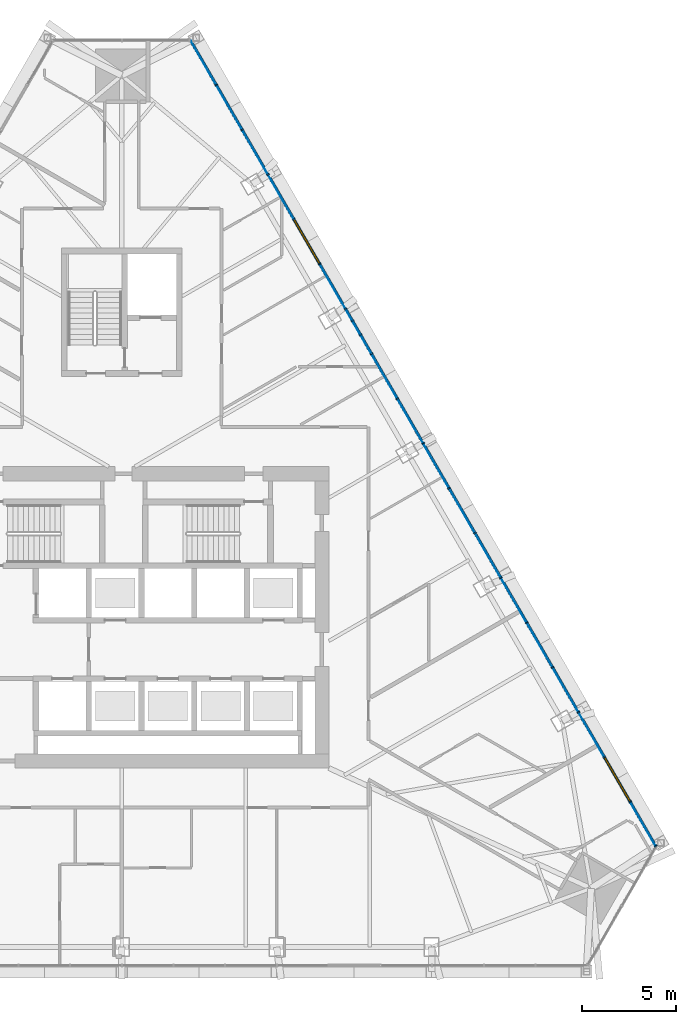
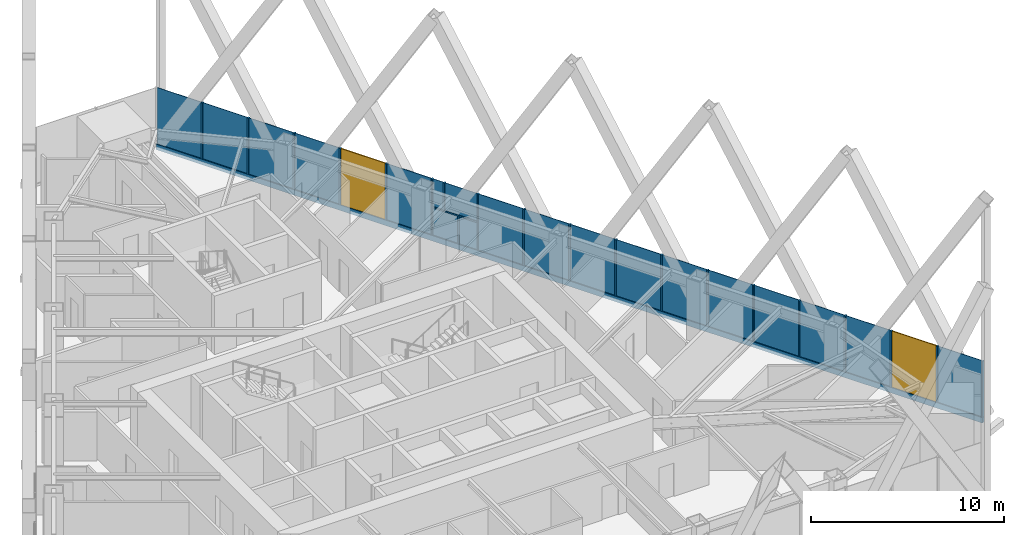
# One storey, part 9 of 19: 22 members, 19 plates, 2 windows, 2 openings, 1 element without a shape of its own.
"""IFC4 building model written with IfcOpenShell, lengths in metres."""

from ifc_helpers import new_model, si_unit, direction, frame, frame_2d, origin, origin_2d, place, context, subcontext, project, spatial, polyline, rectangle, outline, extrude, material, layer, layer_set, material_profile, profile_set, type_object, element, fill, aggregate, save


model = new_model("IFC4")

# Units and contexts
model_context = context("Model", 3, precision=1e-05, world=origin(), true_north=direction((0.0, 1.0)))
body_context = subcontext(model_context, "Body", "Model", "MODEL_VIEW")
ifc_project = project(units=[si_unit("LENGTHUNIT", "METRE"), si_unit("AREAUNIT", "SQUARE_METRE"), si_unit("VOLUMEUNIT", "CUBIC_METRE"), si_unit("PLANEANGLEUNIT", "RADIAN"), si_unit("MASSUNIT", "GRAM", prefix="KILO")], contexts=[model_context])

# Site, building, storey
site_placement = place(None, origin())
site = spatial("IfcSite", under=ifc_project, at=site_placement, CompositionType="ELEMENT")
building_placement = place(site_placement, origin())
building = spatial("IfcBuilding", under=site, at=building_placement, Name="Firuza Gate Tower and Library", CompositionType="ELEMENT")
storey_placement = place(building_placement, frame((0.0, 0.0, 233.800048828125)))
storey = spatial("IfcBuildingStorey", under=building, at=storey_placement, Name="L55", CompositionType="ELEMENT", Elevation=233.800048828125)

# Curtain wall, openings, members, plates, windows
ifc_material_1 = material(Name="Aluminium 6063-T6", Category="aluminium")
ifc_layer_1 = layer(ifc_material_1, 0.14990234375)
ifc_layer_set_1 = layer_set([ifc_layer_1], Name="Unitised curtain wall, hotel")
curtain_wall_type = type_object("IfcCurtainWallType", Name="Unitised curtain wall, hotel", PredefinedType="NOTDEFINED", material=ifc_layer_set_1)
curtain_wall_placement = place(storey_placement, origin())
curtain_wall = element("IfcCurtainWall", 1, at=curtain_wall_placement, inside=storey, type_object=curtain_wall_type, Name="CW2 L55 E face", PredefinedType="NOTDEFINED")
opening_1_placement = place(curtain_wall_placement, frame((101.969970703125, 65.24462890625, 0.14990234375), z_axis=(0.0, 0.0, 1.0), x_axis=(-0.5, 0.866025, 0.0)))
opening_1 = element("IfcOpeningElement", 2, at=opening_1_placement, cuts=curtain_wall, Name="Opening WD1-001", PredefinedType="OPENING", context=body_context, shape_type="SweptSolid", body=[
    extrude(rectangle(XDim=2.666748046875, YDim=3.550048828125, at=frame_2d((1.33349609375, 1.77490234375))), frame((0.0, 0.0849609375, 0.0), z_axis=(0.0, -1.0, 0.0), x_axis=(1.0, 0.0, 0.0)), (0.0, 0.0, 1.0), 0.169921875),
])
opening_2_placement = place(curtain_wall_placement, frame((85.489990234375, 93.788818359375, 0.14990234375), z_axis=(0.0, 0.0, 1.0), x_axis=(-0.5, 0.866025, 0.0)))
opening_2 = element("IfcOpeningElement", 3, at=opening_2_placement, cuts=curtain_wall, Name="Opening WD1-002", PredefinedType="OPENING", context=body_context, shape_type="SweptSolid", body=[
    extrude(rectangle(XDim=2.666748046875, YDim=3.550048828125, at=frame_2d((1.33349609375, 1.77490234375))), frame((0.0, 0.0849609375, 0.0), z_axis=(0.0, -1.0, 0.0), x_axis=(1.0, 0.0, 0.0)), (0.0, 0.0, 1.0), 0.169921875),
])
ifc_material_2 = material(Name="Aluminium 6063-T6", Category="aluminium")
ifc_material_profile_1 = material_profile(ifc_material_2, rectangle(XDim=0.14990234375, YDim=0.080078125, at=origin_2d()))
ifc_profile_set_1 = profile_set([ifc_material_profile_1], Name="Aluminium 6063-T6")
member_type_1 = type_object("IfcMemberType", Name="Curtain wall mullion 80x150", PredefinedType="MULLION", material=ifc_profile_set_1)
member_1_placement = place(storey_placement, frame((103.34326171875, 62.865966796875, 0.14990234375), z_axis=(0.0, 0.0, 1.0), x_axis=(-0.866025403784, -0.5, 0.0)))
member_1 = element("IfcMember", 4, at=member_1_placement, type_object=member_type_1, Name="Mullion", PredefinedType="MULLION", context=body_context, shape_type="SweptSolid", body=[
    extrude(rectangle(XDim=0.14990234375, YDim=0.080078125, at=origin_2d()), origin(), (0.0, 0.0, 1.0), 3.550048828125),
])
member_2_placement = place(storey_placement, frame((101.989990234375, 65.2099609375, 0.14990234375), z_axis=(0.0, 0.0, 1.0), x_axis=(-0.866025403784, -0.5, 0.0)))
member_2 = element("IfcMember", 5, at=member_2_placement, type_object=member_type_1, Name="Mullion", PredefinedType="MULLION", context=body_context, shape_type="SweptSolid", body=[
    extrude(rectangle(XDim=0.14990234375, YDim=0.080078125, at=origin_2d()), origin(), (0.0, 0.0, 1.0), 3.550048828125),
])
member_3_placement = place(storey_placement, frame((100.616455078125, 67.5888671875, 0.14990234375), z_axis=(0.0, 0.0, 1.0), x_axis=(-0.866025403784, -0.5, 0.0)))
member_3 = element("IfcMember", 6, at=member_3_placement, type_object=member_type_1, Name="Mullion", PredefinedType="MULLION", context=body_context, shape_type="SweptSolid", body=[
    extrude(rectangle(XDim=0.14990234375, YDim=0.080078125, at=origin_2d()), origin(), (0.0, 0.0, 1.0), 3.550048828125),
])
member_4_placement = place(storey_placement, frame((99.2431640625, 69.967529296875, 0.14990234375), z_axis=(0.0, 0.0, 1.0), x_axis=(-0.866025403784, -0.5, 0.0)))
member_4 = element("IfcMember", 7, at=member_4_placement, type_object=member_type_1, Name="Mullion", PredefinedType="MULLION", context=body_context, shape_type="SweptSolid", body=[
    extrude(rectangle(XDim=0.14990234375, YDim=0.080078125, at=origin_2d()), origin(), (0.0, 0.0, 1.0), 3.550048828125),
])
member_5_placement = place(storey_placement, frame((97.869873046875, 72.34619140625, 0.14990234375), z_axis=(0.0, 0.0, 1.0), x_axis=(-0.866025403784, -0.5, 0.0)))
member_5 = element("IfcMember", 8, at=member_5_placement, type_object=member_type_1, Name="Mullion", PredefinedType="MULLION", context=body_context, shape_type="SweptSolid", body=[
    extrude(rectangle(XDim=0.14990234375, YDim=0.080078125, at=origin_2d()), origin(), (0.0, 0.0, 1.0), 3.550048828125),
])
member_6_placement = place(storey_placement, frame((96.49658203125, 74.724853515625, 0.14990234375), z_axis=(0.0, 0.0, 1.0), x_axis=(-0.866025403784, -0.5, 0.0)))
member_6 = element("IfcMember", 9, at=member_6_placement, type_object=member_type_1, Name="Mullion", PredefinedType="MULLION", context=body_context, shape_type="SweptSolid", body=[
    extrude(rectangle(XDim=0.14990234375, YDim=0.080078125, at=origin_2d()), origin(), (0.0, 0.0, 1.0), 3.550048828125),
])
member_7_placement = place(storey_placement, frame((95.123291015625, 77.103515625, 0.14990234375), z_axis=(0.0, 0.0, 1.0), x_axis=(-0.866025403784, -0.5, 0.0)))
member_7 = element("IfcMember", 10, at=member_7_placement, type_object=member_type_1, Name="Mullion", PredefinedType="MULLION", context=body_context, shape_type="SweptSolid", body=[
    extrude(rectangle(XDim=0.14990234375, YDim=0.080078125, at=origin_2d()), origin(), (0.0, 0.0, 1.0), 3.550048828125),
])
member_8_placement = place(storey_placement, frame((93.75, 79.482177734375, 0.14990234375), z_axis=(0.0, 0.0, 1.0), x_axis=(-0.866025403784, -0.5, 0.0)))
member_8 = element("IfcMember", 11, at=member_8_placement, type_object=member_type_1, Name="Mullion", PredefinedType="MULLION", context=body_context, shape_type="SweptSolid", body=[
    extrude(rectangle(XDim=0.14990234375, YDim=0.080078125, at=origin_2d()), origin(), (0.0, 0.0, 1.0), 3.550048828125),
])
member_9_placement = place(storey_placement, frame((92.376708984375, 81.86083984375, 0.14990234375), z_axis=(0.0, 0.0, 1.0), x_axis=(-0.866025403784, -0.5, 0.0)))
member_9 = element("IfcMember", 12, at=member_9_placement, type_object=member_type_1, Name="Mullion", PredefinedType="MULLION", context=body_context, shape_type="SweptSolid", body=[
    extrude(rectangle(XDim=0.14990234375, YDim=0.080078125, at=origin_2d()), origin(), (0.0, 0.0, 1.0), 3.550048828125),
])
member_10_placement = place(storey_placement, frame((91.003173828125, 84.239501953125, 0.14990234375), z_axis=(0.0, 0.0, 1.0), x_axis=(-0.866025403784, -0.5, 0.0)))
member_10 = element("IfcMember", 13, at=member_10_placement, type_object=member_type_1, Name="Mullion", PredefinedType="MULLION", context=body_context, shape_type="SweptSolid", body=[
    extrude(rectangle(XDim=0.14990234375, YDim=0.080078125, at=origin_2d()), origin(), (0.0, 0.0, 1.0), 3.550048828125),
])
member_11_placement = place(storey_placement, frame((89.6298828125, 86.6181640625, 0.14990234375), z_axis=(0.0, 0.0, 1.0), x_axis=(-0.866025403784, -0.5, 0.0)))
member_11 = element("IfcMember", 14, at=member_11_placement, type_object=member_type_1, Name="Mullion", PredefinedType="MULLION", context=body_context, shape_type="SweptSolid", body=[
    extrude(rectangle(XDim=0.14990234375, YDim=0.080078125, at=origin_2d()), origin(), (0.0, 0.0, 1.0), 3.550048828125),
])
member_12_placement = place(storey_placement, frame((88.256591796875, 88.996826171875, 0.14990234375), z_axis=(0.0, 0.0, 1.0), x_axis=(-0.866025403784, -0.5, 0.0)))
member_12 = element("IfcMember", 15, at=member_12_placement, type_object=member_type_1, Name="Mullion", PredefinedType="MULLION", context=body_context, shape_type="SweptSolid", body=[
    extrude(rectangle(XDim=0.14990234375, YDim=0.080078125, at=origin_2d()), origin(), (0.0, 0.0, 1.0), 3.550048828125),
])
member_13_placement = place(storey_placement, frame((86.88330078125, 91.37548828125, 0.14990234375), z_axis=(0.0, 0.0, 1.0), x_axis=(-0.866025403784, -0.5, 0.0)))
member_13 = element("IfcMember", 16, at=member_13_placement, type_object=member_type_1, Name="Mullion", PredefinedType="MULLION", context=body_context, shape_type="SweptSolid", body=[
    extrude(rectangle(XDim=0.14990234375, YDim=0.080078125, at=origin_2d()), origin(), (0.0, 0.0, 1.0), 3.550048828125),
])
member_14_placement = place(storey_placement, frame((85.510009765625, 93.754150390625, 0.14990234375), z_axis=(0.0, 0.0, 1.0), x_axis=(-0.866025403784, -0.5, 0.0)))
member_14 = element("IfcMember", 17, at=member_14_placement, type_object=member_type_1, Name="Mullion", PredefinedType="MULLION", context=body_context, shape_type="SweptSolid", body=[
    extrude(rectangle(XDim=0.14990234375, YDim=0.080078125, at=origin_2d()), origin(), (0.0, 0.0, 1.0), 3.550048828125),
])
member_15_placement = place(storey_placement, frame((84.13671875, 96.1328125, 0.14990234375), z_axis=(0.0, 0.0, 1.0), x_axis=(-0.866025403784, -0.5, 0.0)))
member_15 = element("IfcMember", 18, at=member_15_placement, type_object=member_type_1, Name="Mullion", PredefinedType="MULLION", context=body_context, shape_type="SweptSolid", body=[
    extrude(rectangle(XDim=0.14990234375, YDim=0.080078125, at=origin_2d()), origin(), (0.0, 0.0, 1.0), 3.550048828125),
])
member_16_placement = place(storey_placement, frame((82.76318359375, 98.511474609375, 0.14990234375), z_axis=(0.0, 0.0, 1.0), x_axis=(-0.866025403784, -0.5, 0.0)))
member_16 = element("IfcMember", 19, at=member_16_placement, type_object=member_type_1, Name="Mullion", PredefinedType="MULLION", context=body_context, shape_type="SweptSolid", body=[
    extrude(rectangle(XDim=0.14990234375, YDim=0.080078125, at=origin_2d()), origin(), (0.0, 0.0, 1.0), 3.550048828125),
])
member_17_placement = place(storey_placement, frame((81.389892578125, 100.89013671875, 0.14990234375), z_axis=(0.0, 0.0, 1.0), x_axis=(-0.866025403784, -0.5, 0.0)))
member_17 = element("IfcMember", 20, at=member_17_placement, type_object=member_type_1, Name="Mullion", PredefinedType="MULLION", context=body_context, shape_type="SweptSolid", body=[
    extrude(rectangle(XDim=0.14990234375, YDim=0.080078125, at=origin_2d()), origin(), (0.0, 0.0, 1.0), 3.550048828125),
])
member_18_placement = place(storey_placement, frame((80.0166015625, 103.268798828125, 0.14990234375), z_axis=(0.0, 0.0, 1.0), x_axis=(-0.866025403784, -0.5, 0.0)))
member_18 = element("IfcMember", 21, at=member_18_placement, type_object=member_type_1, Name="Mullion", PredefinedType="MULLION", context=body_context, shape_type="SweptSolid", body=[
    extrude(rectangle(XDim=0.14990234375, YDim=0.080078125, at=origin_2d()), origin(), (0.0, 0.0, 1.0), 3.550048828125),
])
member_19_placement = place(storey_placement, frame((87.678466796875, 89.998046875, 0.14990234375), z_axis=(0.0, 0.0, 1.0), x_axis=(-0.866025403784, -0.5, 0.0)))
member_19 = element("IfcMember", 22, at=member_19_placement, type_object=member_type_1, Name="Mullion", PredefinedType="MULLION", context=body_context, shape_type="SweptSolid", body=[
    extrude(rectangle(XDim=0.14990234375, YDim=0.080078125, at=origin_2d()), origin(), (0.0, 0.0, 1.0), 1.735107421875),
])
member_20_placement = place(storey_placement, frame((87.25, 90.740478515625, 1.96484375), z_axis=(0.0, 0.0, 1.0), x_axis=(-0.866025403784, -0.5, 0.0)))
member_20 = element("IfcMember", 23, at=member_20_placement, type_object=member_type_1, Name="Mullion", PredefinedType="MULLION", context=body_context, shape_type="SweptSolid", body=[
    extrude(rectangle(XDim=0.14990234375, YDim=0.080078125, at=origin_2d()), origin(), (0.0, 0.0, 1.0), 1.735107421875),
])
ifc_material_3 = material(Name="Aluminium 6063-T6", Category="aluminium")
ifc_material_profile_2 = material_profile(ifc_material_3, rectangle(XDim=0.14990234375, YDim=0.35009765625, at=origin_2d()))
ifc_profile_set_2 = profile_set([ifc_material_profile_2], Name="Aluminium 6063-T6")
member_type_2 = type_object("IfcMemberType", Name="Curtain wall transom 350x150", PredefinedType="USERDEFINED", material=ifc_profile_set_2)
member_21_placement = place(storey_placement, frame((103.36328125, 62.831298828125, -0.025146484375), z_axis=(-0.49999858964, 0.866026218055, 0.0), x_axis=(-0.866026218055, -0.49999858964, 0.0)))
member_21 = element("IfcMember", 24, at=member_21_placement, type_object=member_type_2, Name="Transom", ObjectType="TRANSOM", PredefinedType="USERDEFINED", context=body_context, shape_type="SweptSolid", body=[
    extrude(rectangle(XDim=0.14990234375, YDim=0.35009765625, at=origin_2d()), origin(), (0.0, 0.0, 1.0), 49.440185546875),
])
ifc_material_4 = material(Name="Aluminium 6063-T6", Category="aluminium")
ifc_material_profile_3 = material_profile(ifc_material_4, rectangle(XDim=0.14990234375, YDim=0.080078125, at=origin_2d()))
ifc_profile_set_3 = profile_set([ifc_material_profile_3], Name="Aluminium 6063-T6")
member_type_3 = type_object("IfcMemberType", Name="Curtain wall transom 80x150", PredefinedType="USERDEFINED", material=ifc_profile_set_3)
member_22_placement = place(storey_placement, frame((88.236572265625, 89.031494140625, 1.925048828125), z_axis=(-0.499989274391, 0.866031596129, 0.0), x_axis=(-0.866031596129, -0.499989274391, 0.0)))
member_22 = element("IfcMember", 25, at=member_22_placement, type_object=member_type_3, Name="Transom", ObjectType="TRANSOM", PredefinedType="USERDEFINED", context=body_context, shape_type="SweptSolid", body=[
    extrude(rectangle(XDim=0.14990234375, YDim=0.080078125, at=origin_2d()), origin(), (0.0, 0.0, 1.0), 2.66650390625),
])
ifc_material_5 = material(Name="Fritted glass", Category="glass")
ifc_layer_2 = layer(ifc_material_5, 0.030029296875)
ifc_layer_set_2 = layer_set([ifc_layer_2], Name="Fritted glass unit, hotel")
plate_type_1 = type_object("IfcPlateType", Name="Fritted glass unit, hotel", PredefinedType="CURTAIN_PANEL", material=ifc_layer_set_2)
plate_1_placement = place(storey_placement, frame((97.86279296875, 72.38818359375, 0.14990234375), z_axis=(0.866054481515, 0.499949632511, 0.0), x_axis=(-0.499949632511, 0.866054481515, 0.0)))
plate_1 = element("IfcPlate", 26, at=plate_1_placement, type_object=plate_type_1, Name="Glass unit", PredefinedType="CURTAIN_PANEL", context=body_context, shape_type="SweptSolid", body=[
    extrude(outline(polyline([(0.0, 0.0), (2.6667725435239085, 0.0), (2.6667725435239085, 3.550048828125001), (0.0, 3.550048828125001), (0.0, 0.0)])), origin(), (0.0, 0.0, -1.0), 0.030029296875),
])
plate_2_placement = place(storey_placement, frame((93.742919921875, 79.524169921875, 0.14990234375), z_axis=(0.866054481515, 0.499949632511, 0.0), x_axis=(-0.499949632511, 0.866054481515, 0.0)))
plate_2 = element("IfcPlate", 27, at=plate_2_placement, type_object=plate_type_1, Name="Glass unit", PredefinedType="CURTAIN_PANEL", context=body_context, shape_type="SweptSolid", body=[
    extrude(outline(polyline([(0.0, 0.0), (2.6667725435239085, 0.0), (2.6667725435239085, 3.550048828125001), (0.0, 3.550048828125001), (0.0, 0.0)])), origin(), (0.0, 0.0, -1.0), 0.030029296875),
])
plate_3_placement = place(storey_placement, frame((89.623046875, 86.660400390625, 0.14990234375), z_axis=(0.865991950723, 0.500057937927, 0.0), x_axis=(-0.500057937927, 0.865991950723, 0.0)))
plate_3 = element("IfcPlate", 28, at=plate_3_placement, type_object=plate_type_1, Name="Glass unit", PredefinedType="CURTAIN_PANEL", context=body_context, shape_type="SweptSolid", body=[
    extrude(outline(polyline([(0.0, 0.0), (2.666683183310937, 0.0), (2.666683183310937, 3.550048828125), (0.0, 3.550048828125), (0.0, 0.0)])), origin(), (0.0, 0.0, -1.0), 0.030029296875),
])
plate_4_placement = place(storey_placement, frame((88.24951171875, 89.0390625, 0.14990234375), z_axis=(0.866000447062, 0.500043223821, 0.0), x_axis=(-0.500043223821, 0.866000447062, 0.0)))
plate_4 = element("IfcPlate", 29, at=plate_4_placement, type_object=plate_type_1, Name="Glass unit", PredefinedType="CURTAIN_PANEL", context=body_context, shape_type="SweptSolid", body=[
    extrude(outline(polyline([(0.0, 0.0), (1.0760788505212875, 0.0), (1.0760788505212875, 1.735107421875), (0.0, 1.735107421875), (0.0, 0.0)])), origin(), (0.0, 0.0, -1.0), 0.030029296875),
])
plate_5_placement = place(storey_placement, frame((87.242919921875, 90.78271484375, 1.96484375), z_axis=(0.865980178237, 0.500078324765, 0.0), x_axis=(-0.500078324765, 0.865980178237, 0.0)))
plate_5 = element("IfcPlate", 30, at=plate_5_placement, type_object=plate_type_1, Name="Glass unit", PredefinedType="CURTAIN_PANEL", context=body_context, shape_type="SweptSolid", body=[
    extrude(outline(polyline([(0.0, 0.0), (0.6532179862089428, 0.0), (0.6532179862089428, 1.735107421875), (0.0, 1.735107421875), (0.0, 0.0)])), origin(), (0.0, 0.0, -1.0), 0.030029296875),
])
plate_6_placement = place(storey_placement, frame((81.383056640625, 100.932373046875, 0.14990234375), z_axis=(0.865991950723, 0.500057937927, 0.0), x_axis=(-0.500057937927, 0.865991950723, 0.0)))
plate_6 = element("IfcPlate", 31, at=plate_6_placement, type_object=plate_type_1, Name="Glass unit", PredefinedType="CURTAIN_PANEL", context=body_context, shape_type="SweptSolid", body=[
    extrude(outline(polyline([(0.0, 0.0), (2.666683183310937, 0.0), (2.666683183310937, 3.550048828125), (0.0, 3.550048828125), (0.0, 0.0)])), origin(), (0.0, 0.0, -1.0), 0.030029296875),
])
ifc_material_6 = material(Name="Glazed ceramic tile")
ifc_layer_3 = layer(ifc_material_6, 0.030029296875)
ifc_layer_set_3 = layer_set([ifc_layer_3], Name="Opaque ceramic panel, hotel")
plate_type_2 = type_object("IfcPlateType", Name="Opaque ceramic panel, hotel", PredefinedType="CURTAIN_PANEL", material=ifc_layer_set_3)
plate_7_placement = place(storey_placement, frame((103.356201171875, 62.87353515625, 0.14990234375), z_axis=(0.866031596129, 0.499989274391, 0.0), x_axis=(-0.499989274391, 0.866031596129, 0.0)))
plate_7 = element("IfcPlate", 32, at=plate_7_placement, type_object=plate_type_2, Name="Opaque ceramic panel", PredefinedType="CURTAIN_PANEL", context=body_context, shape_type="SweptSolid", body=[
    extrude(outline(polyline([(0.0, 0.0), (2.6665611072350224, 0.0), (2.6665611072350224, 3.550048828125001), (0.0, 3.550048828125001), (0.0, 0.0)])), origin(), (0.0, 0.0, -1.0), 0.030029296875),
])
plate_8_placement = place(storey_placement, frame((100.609619140625, 67.630859375, 0.14990234375), z_axis=(0.865991950723, 0.500057937927, 0.0), x_axis=(-0.500057937927, 0.865991950723, 0.0)))
plate_8 = element("IfcPlate", 33, at=plate_8_placement, type_object=plate_type_2, Name="Opaque ceramic panel", PredefinedType="CURTAIN_PANEL", context=body_context, shape_type="SweptSolid", body=[
    extrude(outline(polyline([(0.0, 0.0), (2.666683183310937, 0.0), (2.666683183310937, 3.550048828125), (0.0, 3.550048828125), (0.0, 0.0)])), origin(), (0.0, 0.0, -1.0), 0.030029296875),
])
plate_9_placement = place(storey_placement, frame((99.236328125, 70.009521484375, 0.14990234375), z_axis=(0.865991950723, 0.500057937927, 0.0), x_axis=(-0.500057937927, 0.865991950723, 0.0)))
plate_9 = element("IfcPlate", 34, at=plate_9_placement, type_object=plate_type_2, Name="Opaque ceramic panel", PredefinedType="CURTAIN_PANEL", context=body_context, shape_type="SweptSolid", body=[
    extrude(outline(polyline([(0.0, 0.0), (2.666683183310937, 0.0), (2.666683183310937, 3.550048828125), (0.0, 3.550048828125), (0.0, 0.0)])), origin(), (0.0, 0.0, -1.0), 0.030029296875),
])
plate_10_placement = place(storey_placement, frame((96.489501953125, 74.766845703125, 0.14990234375), z_axis=(0.866054481515, 0.499949632511, 0.0), x_axis=(-0.499949632511, 0.866054481515, 0.0)))
plate_10 = element("IfcPlate", 35, at=plate_10_placement, type_object=plate_type_2, Name="Opaque ceramic panel", PredefinedType="CURTAIN_PANEL", context=body_context, shape_type="SweptSolid", body=[
    extrude(outline(polyline([(0.0, 0.0), (2.6667725435239085, 0.0), (2.6667725435239085, 3.550048828125001), (0.0, 3.550048828125001), (0.0, 0.0)])), origin(), (0.0, 0.0, -1.0), 0.030029296875),
])
plate_11_placement = place(storey_placement, frame((95.1162109375, 77.1455078125, 0.14990234375), z_axis=(0.866054481515, 0.499949632511, 0.0), x_axis=(-0.499949632511, 0.866054481515, 0.0)))
plate_11 = element("IfcPlate", 36, at=plate_11_placement, type_object=plate_type_2, Name="Opaque ceramic panel", PredefinedType="CURTAIN_PANEL", context=body_context, shape_type="SweptSolid", body=[
    extrude(outline(polyline([(0.0, 0.0), (2.6667725435239085, 0.0), (2.6667725435239085, 3.550048828125001), (0.0, 3.550048828125001), (0.0, 0.0)])), origin(), (0.0, 0.0, -1.0), 0.030029296875),
])
plate_12_placement = place(storey_placement, frame((92.36962890625, 81.903076171875, 0.14990234375), z_axis=(0.866031596129, 0.499989274391, 0.0), x_axis=(-0.499989274391, 0.866031596129, 0.0)))
plate_12 = element("IfcPlate", 37, at=plate_12_placement, type_object=plate_type_2, Name="Opaque ceramic panel", PredefinedType="CURTAIN_PANEL", context=body_context, shape_type="SweptSolid", body=[
    extrude(outline(polyline([(0.0, 0.0), (2.6665611072350224, 0.0), (2.6665611072350224, 3.550048828125001), (0.0, 3.550048828125001), (0.0, 0.0)])), origin(), (0.0, 0.0, -1.0), 0.030029296875),
])
plate_13_placement = place(storey_placement, frame((90.996337890625, 84.28173828125, 0.14990234375), z_axis=(0.865991950723, 0.500057937927, 0.0), x_axis=(-0.500057937927, 0.865991950723, 0.0)))
plate_13 = element("IfcPlate", 38, at=plate_13_placement, type_object=plate_type_2, Name="Opaque ceramic panel", PredefinedType="CURTAIN_PANEL", context=body_context, shape_type="SweptSolid", body=[
    extrude(outline(polyline([(0.0, 0.0), (2.666683183310937, 0.0), (2.666683183310937, 3.550048828125), (0.0, 3.550048828125), (0.0, 0.0)])), origin(), (0.0, 0.0, -1.0), 0.030029296875),
])
plate_14_placement = place(storey_placement, frame((87.67138671875, 90.040283203125, 0.14990234375), z_axis=(0.866056390234, 0.499946326053, 0.0), x_axis=(-0.499946326053, 0.866056390234, 0.0)))
plate_14 = element("IfcPlate", 39, at=plate_14_placement, type_object=plate_type_2, Name="Opaque ceramic panel", PredefinedType="CURTAIN_PANEL", context=body_context, shape_type="SweptSolid", body=[
    extrude(outline(polyline([(0.0, 0.0), (1.5104160462301448, 0.0), (1.5104160462301448, 1.735107421875), (0.0, 1.735107421875), (0.0, 0.0)])), origin(), (0.0, 0.0, -1.0), 0.030029296875),
])
plate_15_placement = place(storey_placement, frame((88.24951171875, 89.0390625, 1.96484375), z_axis=(0.866051001946, 0.499955660062, 0.0), x_axis=(-0.499955660062, 0.866051001946, 0.0)))
plate_15 = element("IfcPlate", 40, at=plate_15_placement, type_object=plate_type_2, Name="Opaque ceramic panel", PredefinedType="CURTAIN_PANEL", context=body_context, shape_type="SweptSolid", body=[
    extrude(outline(polyline([(0.0, 0.0), (1.933276911506912, 0.0), (1.933276911506912, 1.735107421875), (0.0, 1.735107421875), (0.0, 0.0)])), origin(), (0.0, 0.0, -1.0), 0.030029296875),
])
plate_16_placement = place(storey_placement, frame((86.876220703125, 91.417724609375, 0.14990234375), z_axis=(0.866031596129, 0.499989274391, 0.0), x_axis=(-0.499989274391, 0.866031596129, 0.0)))
plate_16 = element("IfcPlate", 41, at=plate_16_placement, type_object=plate_type_2, Name="Opaque ceramic panel", PredefinedType="CURTAIN_PANEL", context=body_context, shape_type="SweptSolid", body=[
    extrude(outline(polyline([(0.0, 0.0), (2.6665611072350224, 0.0), (2.6665611072350224, 3.550048828125001), (0.0, 3.550048828125001), (0.0, 0.0)])), origin(), (0.0, 0.0, -1.0), 0.030029296875),
])
plate_17_placement = place(storey_placement, frame((84.129638671875, 96.175048828125, 0.14990234375), z_axis=(0.866031596129, 0.499989274391, 0.0), x_axis=(-0.499989274391, 0.866031596129, 0.0)))
plate_17 = element("IfcPlate", 42, at=plate_17_placement, type_object=plate_type_2, Name="Opaque ceramic panel", PredefinedType="CURTAIN_PANEL", context=body_context, shape_type="SweptSolid", body=[
    extrude(outline(polyline([(0.0, 0.0), (2.6665611072350224, 0.0), (2.6665611072350224, 3.550048828125001), (0.0, 3.550048828125001), (0.0, 0.0)])), origin(), (0.0, 0.0, -1.0), 0.030029296875),
])
plate_18_placement = place(storey_placement, frame((82.75634765625, 98.5537109375, 0.14990234375), z_axis=(0.865991950723, 0.500057937927, 0.0), x_axis=(-0.500057937927, 0.865991950723, 0.0)))
plate_18 = element("IfcPlate", 43, at=plate_18_placement, type_object=plate_type_2, Name="Opaque ceramic panel", PredefinedType="CURTAIN_PANEL", context=body_context, shape_type="SweptSolid", body=[
    extrude(outline(polyline([(0.0, 0.0), (2.666683183310937, 0.0), (2.666683183310937, 3.550048828125), (0.0, 3.550048828125), (0.0, 0.0)])), origin(), (0.0, 0.0, -1.0), 0.030029296875),
])
plate_19_placement = place(storey_placement, frame((80.009521484375, 103.31103515625, 0.14990234375), z_axis=(0.866031596129, 0.499989274391, 0.0), x_axis=(-0.499989274391, 0.866031596129, 0.0)))
plate_19 = element("IfcPlate", 44, at=plate_19_placement, type_object=plate_type_2, Name="Opaque ceramic panel", PredefinedType="CURTAIN_PANEL", context=body_context, shape_type="SweptSolid", body=[
    extrude(outline(polyline([(0.0, 0.0), (2.6665611072350224, 0.0), (2.6665611072350224, 3.550048828125001), (0.0, 3.550048828125001), (0.0, 0.0)])), origin(), (0.0, 0.0, -1.0), 0.030029296875),
])
aggregate(curtain_wall, [member_1, member_2, member_3, member_4, member_5, member_6, member_7, member_8, member_9, member_10, member_11, member_12, member_13, member_14, member_15, member_16, member_17, member_18, member_21, plate_7, plate_8, plate_9, plate_1, plate_10, plate_11, plate_2, plate_12, plate_13, plate_3, plate_4, plate_14, plate_15, plate_5, member_19, member_20, member_22, plate_16, plate_17, plate_18, plate_6, plate_19])
ifc_material_7 = material(Name="Aluminium 6063-T6 and glass", Category="aluminium")
ifc_layer_4 = layer(ifc_material_7, 0.030029296875)
ifc_layer_set_4 = layer_set([ifc_layer_4], Name="Operable glazed unit")
window_type = type_object("IfcWindowType", Name="Operable glazed unit", PartitioningType="SINGLE_PANEL", PredefinedType="WINDOW", material=ifc_layer_set_4)
window_1_placement = place(opening_1_placement, origin())
window_1 = element("IfcWindow", 45, at=window_1_placement, inside=storey, type_object=window_type, Name="Operable glazed unit", OverallHeight=3.550048828125, OverallWidth=2.666748046875, PartitioningType="SINGLE_PANEL", PredefinedType="WINDOW", context=body_context, shape_type="SweptSolid", body=[
    extrude(rectangle(XDim=2.666748046875, YDim=3.550048828125, at=frame_2d((1.33349609375, 1.77490234375))), frame((0.0, 0.030029296875, 0.0), z_axis=(0.0, -1.0, 0.0), x_axis=(1.0, 0.0, 0.0)), (0.0, 0.0, 1.0), 0.06005859375),
])
fill(opening_1, window_1)
window_2_placement = place(opening_2_placement, origin())
window_2 = element("IfcWindow", 46, at=window_2_placement, inside=storey, type_object=window_type, Name="Operable glazed unit", OverallHeight=3.550048828125, OverallWidth=2.666748046875, PartitioningType="SINGLE_PANEL", PredefinedType="WINDOW", context=body_context, shape_type="SweptSolid", body=[
    extrude(rectangle(XDim=2.666748046875, YDim=3.550048828125, at=frame_2d((1.33349609375, 1.77490234375))), frame((0.0, 0.030029296875, 0.0), z_axis=(0.0, -1.0, 0.0), x_axis=(1.0, 0.0, 0.0)), (0.0, 0.0, 1.0), 0.06005859375),
])
fill(opening_2, window_2)

save(model, "model.ifc")
